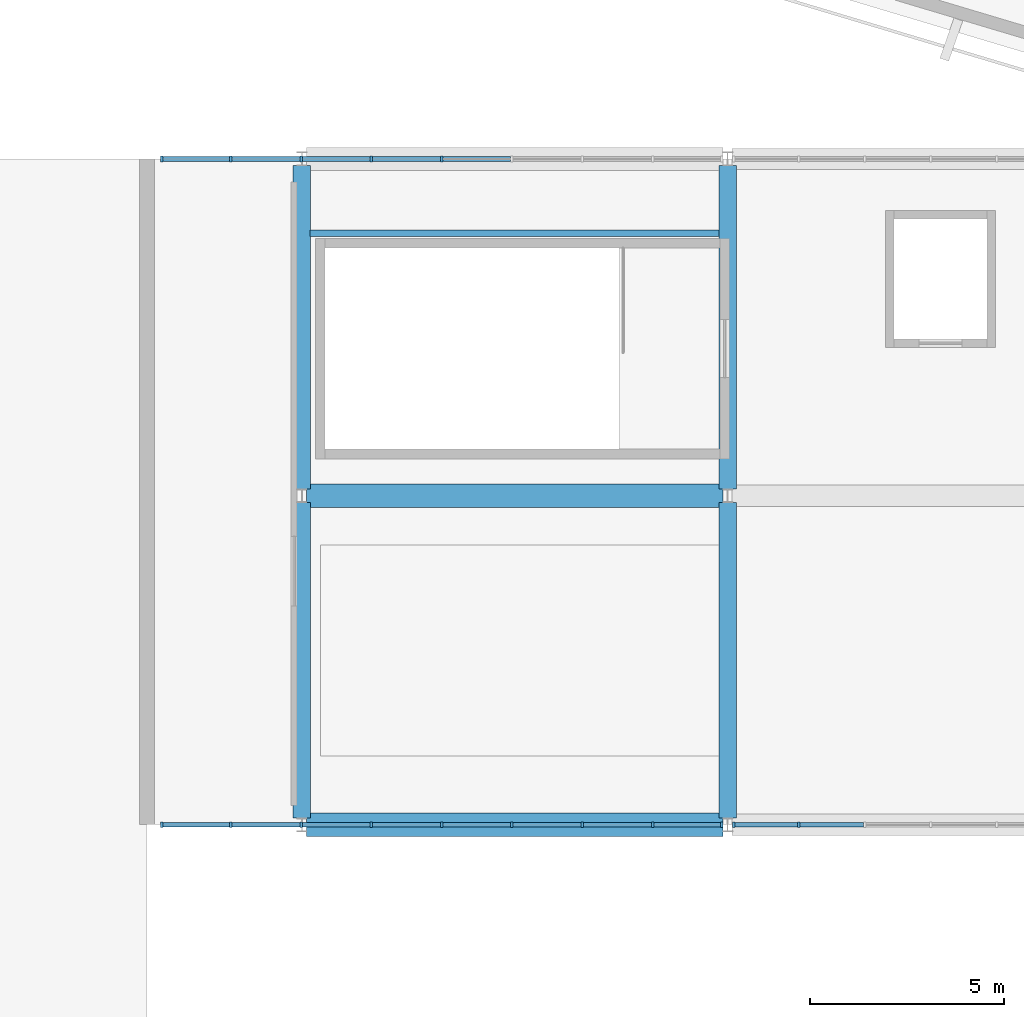
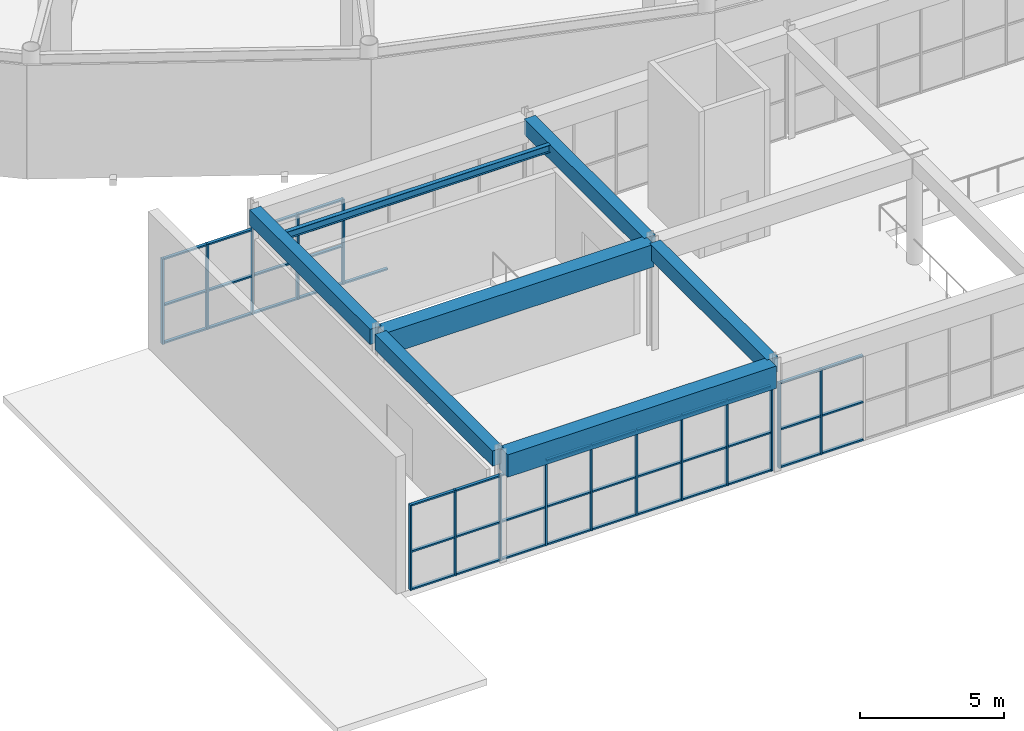
# One storey, part 22 of 122: 59 members, 7 beams, 3 elements without a shape of their own.
"""IFC4 building model written with IfcOpenShell, lengths in metres."""

from ifc_helpers import new_model, si_unit, direction, frame, origin, origin_2d, place, context, subcontext, project, spatial, rectangle, i_section, extrude, material, material_profile, profile_set, type_object, element, aggregate, save


model = new_model("IFC4")

# Units and contexts
model_context = context("Model", 3, precision=1e-05, world=origin(), true_north=direction((0.0, 1.0)))
body_context = subcontext(model_context, "Body", "Model", "MODEL_VIEW")
ifc_project = project(units=[si_unit("LENGTHUNIT", "METRE"), si_unit("AREAUNIT", "SQUARE_METRE"), si_unit("VOLUMEUNIT", "CUBIC_METRE"), si_unit("PLANEANGLEUNIT", "RADIAN"), si_unit("MASSUNIT", "GRAM", prefix="KILO")], contexts=[model_context])

# Site, building, storey
site_placement = place(None, origin())
site = spatial("IfcSite", under=ifc_project, at=site_placement, CompositionType="ELEMENT")
building_placement = place(site_placement, origin())
building = spatial("IfcBuilding", under=site, at=building_placement, Name="Cuetzalor Civic Arena", CompositionType="ELEMENT")
storey_placement = place(building_placement, frame((0.0, 0.0, 16.199951171875)))
storey = spatial("IfcBuildingStorey", under=building, at=storey_placement, Name="L03", CompositionType="ELEMENT", Elevation=16.199951171875)

# Beams
ifc_material_1 = material(Name="Concrete C40/50", Category="concrete")
ifc_material_profile_1 = material_profile(ifc_material_1, rectangle(XDim=0.60009765625, YDim=0.949951171875, at=origin_2d()), Name="RC 600x950")
ifc_profile_set_1 = profile_set([ifc_material_profile_1], Name="Concrete C40/50")
beam_type_1 = type_object("IfcBeamType", Name="ConcreteFrameBeam_600x950", PredefinedType="BEAM", material=ifc_profile_set_1)
for number, where, z_axis, x_axis, name in (
    (1, (-31.881591796875, -65.5, 4.10498046875), (1.0, 0.0, 0.0), (0.0, 1.0, 0.0), "Frame Girder V3-L03-X0854"),
    (2, (-31.881591796875, -57.0, 4.10498046875), (1.0, 0.0, 0.0), (0.0, 1.0, 0.0), "Frame Girder V3-L03-X0860"),
):
    element("IfcBeam", number, at=place(storey_placement, frame(where, z_axis=z_axis, x_axis=x_axis)), inside=storey, type_object=beam_type_1, Name=name, PredefinedType="BEAM", context=body_context, shape_type="SweptSolid", body=[
        extrude(rectangle(XDim=0.60009765625, YDim=0.949951171875, at=origin_2d()), origin(), (0.0, 0.0, 1.0), 10.76318359375),
    ])
ifc_material_2 = material(Name="Concrete C40/50", Category="concrete")
ifc_material_profile_2 = material_profile(ifc_material_2, rectangle(XDim=0.449951171875, YDim=0.64990234375, at=origin_2d()), Name="RC 450x650")
ifc_profile_set_2 = profile_set([ifc_material_profile_2], Name="Concrete C40/50")
beam_type_2 = type_object("IfcBeamType", Name="ConcreteTieBeam_450x650", PredefinedType="BEAM", material=ifc_profile_set_2)
beam_1_placement = place(storey_placement, frame((-32.0, -65.32861328125, 4.255126953125), z_axis=(0.0, 1.0, 0.0), x_axis=(-1.0, 0.0, 0.0)))
element("IfcBeam", 3, at=beam_1_placement, inside=storey, type_object=beam_type_2, Name="Frame Girder V3-L03-Y0870", PredefinedType="BEAM", context=body_context, shape_type="SweptSolid", body=[
    extrude(rectangle(XDim=0.449951171875, YDim=0.64990234375, at=origin_2d()), origin(), (0.0, 0.0, 1.0), 8.1572265625),
])
beam_2_placement = place(storey_placement, frame((-32.0, -56.82861328125, 4.255126953125), z_axis=(0.0, 1.0, 0.0), x_axis=(-1.0, 0.0, 0.0)))
element("IfcBeam", 4, at=beam_2_placement, inside=storey, type_object=beam_type_2, Name="Frame Girder V3-L03-Y0871", PredefinedType="BEAM", context=body_context, shape_type="SweptSolid", body=[
    extrude(rectangle(XDim=0.449951171875, YDim=0.64990234375, at=origin_2d()), origin(), (0.0, 0.0, 1.0), 8.357177734375),
])
beam_3_placement = place(storey_placement, frame((-21.0, -65.32861328125, 4.255126953125), z_axis=(0.0, 1.0, 0.0), x_axis=(-1.0, 0.0, 0.0)))
element("IfcBeam", 5, at=beam_3_placement, inside=storey, type_object=beam_type_2, Name="Frame Girder V3-L03-Y0872", PredefinedType="BEAM", context=body_context, shape_type="SweptSolid", body=[
    extrude(rectangle(XDim=0.449951171875, YDim=0.64990234375, at=origin_2d()), origin(), (0.0, 0.0, 1.0), 8.1572265625),
])
beam_4_placement = place(storey_placement, frame((-21.0, -56.82861328125, 4.255126953125), z_axis=(0.0, 1.0, 0.0), x_axis=(-1.0, 0.0, 0.0)))
element("IfcBeam", 6, at=beam_4_placement, inside=storey, type_object=beam_type_2, Name="Frame Girder V3-L03-Y0873", PredefinedType="BEAM", context=body_context, shape_type="SweptSolid", body=[
    extrude(rectangle(XDim=0.449951171875, YDim=0.64990234375, at=origin_2d()), origin(), (0.0, 0.0, 1.0), 8.357177734375),
])

# Curtain wall, members
ifc_material_3 = material(Name="Anodised dark bronze aluminium and low-E solar glass", Category="aluminium")
curtain_wall_type_1 = type_object("IfcCurtainWallType", Name="StickCW_14550x3600", PredefinedType="USERDEFINED", material=ifc_material_3)
curtain_wall_1_placement = place(storey_placement, origin())
curtain_wall_1 = element("IfcCurtainWall", 7, at=curtain_wall_1_placement, inside=storey, type_object=curtain_wall_type_1, Name="Foyer Vault Clerestory Curtain Wall L03-091", ObjectType="STICK CURTAIN WALL", PredefinedType="USERDEFINED")
ifc_material_4 = material(Name="Anodised dark bronze aluminium", Category="aluminium")
ifc_material_profile_3 = material_profile(ifc_material_4, rectangle(XDim=0.06494140625, YDim=0.14990234375, at=origin_2d()), Name="ALU MULLION 65x150")
ifc_profile_set_3 = profile_set([ifc_material_profile_3], Name="Anodised dark bronze aluminium")
member_type_1 = type_object("IfcMemberType", Name="CurtainWallMullion_60x150", PredefinedType="MULLION", material=ifc_profile_set_3)
member_1_placement = place(storey_placement, frame((-21.156982421875, -65.5, 0.0), z_axis=(0.0, 0.0, 1.0), x_axis=(-1.0, 0.0, 0.0)))
member_1 = element("IfcMember", 8, at=member_1_placement, type_object=member_type_1, Name="CW-28 mullion 1", PredefinedType="MULLION", context=body_context, shape_type="SweptSolid", body=[
    extrude(rectangle(XDim=0.06494140625, YDim=0.14990234375, at=origin_2d()), origin(), (0.0, 0.0, 1.0), 3.6201171875),
])
member_2_placement = place(storey_placement, frame((-22.940185546875, -65.5, 0.0), z_axis=(0.0, 0.0, 1.0), x_axis=(-1.0, 0.0, 0.0)))
member_2 = element("IfcMember", 9, at=member_2_placement, type_object=member_type_1, Name="CW-28 mullion 2", PredefinedType="MULLION", context=body_context, shape_type="SweptSolid", body=[
    extrude(rectangle(XDim=0.06494140625, YDim=0.14990234375, at=origin_2d()), origin(), (0.0, 0.0, 1.0), 3.6201171875),
])
member_3_placement = place(storey_placement, frame((-24.755859375, -65.5, 0.0), z_axis=(0.0, 0.0, 1.0), x_axis=(-1.0, 0.0, 0.0)))
member_3 = element("IfcMember", 10, at=member_3_placement, type_object=member_type_1, Name="CW-28 mullion 3", PredefinedType="MULLION", context=body_context, shape_type="SweptSolid", body=[
    extrude(rectangle(XDim=0.06494140625, YDim=0.14990234375, at=origin_2d()), origin(), (0.0, 0.0, 1.0), 3.6201171875),
])
member_4_placement = place(storey_placement, frame((-26.571533203125, -65.5, 0.0), z_axis=(0.0, 0.0, 1.0), x_axis=(-1.0, 0.0, 0.0)))
member_4 = element("IfcMember", 11, at=member_4_placement, type_object=member_type_1, Name="CW-28 mullion 4", PredefinedType="MULLION", context=body_context, shape_type="SweptSolid", body=[
    extrude(rectangle(XDim=0.06494140625, YDim=0.14990234375, at=origin_2d()), origin(), (0.0, 0.0, 1.0), 3.6201171875),
])
member_5_placement = place(storey_placement, frame((-28.38720703125, -65.5, 0.0), z_axis=(0.0, 0.0, 1.0), x_axis=(-1.0, 0.0, 0.0)))
member_5 = element("IfcMember", 12, at=member_5_placement, type_object=member_type_1, Name="CW-28 mullion 5", PredefinedType="MULLION", context=body_context, shape_type="SweptSolid", body=[
    extrude(rectangle(XDim=0.06494140625, YDim=0.14990234375, at=origin_2d()), origin(), (0.0, 0.0, 1.0), 3.6201171875),
])
member_6_placement = place(storey_placement, frame((-30.202880859375, -65.5, 0.0), z_axis=(0.0, 0.0, 1.0), x_axis=(-1.0, 0.0, 0.0)))
member_6 = element("IfcMember", 13, at=member_6_placement, type_object=member_type_1, Name="CW-28 mullion 6", PredefinedType="MULLION", context=body_context, shape_type="SweptSolid", body=[
    extrude(rectangle(XDim=0.06494140625, YDim=0.14990234375, at=origin_2d()), origin(), (0.0, 0.0, 1.0), 3.6201171875),
])
member_7_placement = place(storey_placement, frame((-32.0185546875, -65.5, 0.0), z_axis=(0.0, 0.0, 1.0), x_axis=(-1.0, 0.0, 0.0)))
member_7 = element("IfcMember", 14, at=member_7_placement, type_object=member_type_1, Name="CW-28 mullion 7", PredefinedType="MULLION", context=body_context, shape_type="SweptSolid", body=[
    extrude(rectangle(XDim=0.06494140625, YDim=0.14990234375, at=origin_2d()), origin(), (0.0, 0.0, 1.0), 3.6201171875),
])
member_8_placement = place(storey_placement, frame((-33.834228515625, -65.5, 0.0), z_axis=(0.0, 0.0, 1.0), x_axis=(-1.0, 0.0, 0.0)))
member_8 = element("IfcMember", 15, at=member_8_placement, type_object=member_type_1, Name="CW-28 mullion 8", PredefinedType="MULLION", context=body_context, shape_type="SweptSolid", body=[
    extrude(rectangle(XDim=0.06494140625, YDim=0.14990234375, at=origin_2d()), origin(), (0.0, 0.0, 1.0), 3.6201171875),
])
member_9_placement = place(storey_placement, frame((-35.617431640625, -65.5, 0.0), z_axis=(0.0, 0.0, 1.0), x_axis=(-1.0, 0.0, 0.0)))
member_9 = element("IfcMember", 16, at=member_9_placement, type_object=member_type_1, Name="CW-28 mullion 9", PredefinedType="MULLION", context=body_context, shape_type="SweptSolid", body=[
    extrude(rectangle(XDim=0.06494140625, YDim=0.14990234375, at=origin_2d()), origin(), (0.0, 0.0, 1.0), 3.6201171875),
])

curtain_wall_2_placement = place(storey_placement, origin())
curtain_wall_2 = element("IfcCurtainWall", 17, at=curtain_wall_2_placement, inside=storey, type_object=curtain_wall_type_1, Name="Foyer North Clerestory Curtain Wall L03-092", ObjectType="STICK CURTAIN WALL", PredefinedType="USERDEFINED")
member_10_placement = place(storey_placement, frame((-35.617431640625, -48.300048828125, 0.0), z_axis=(0.0, 0.0, 1.0), x_axis=(1.0, 0.0, 0.0)))
member_10 = element("IfcMember", 18, at=member_10_placement, type_object=member_type_1, Name="CW-28 mullion 1", PredefinedType="MULLION", context=body_context, shape_type="SweptSolid", body=[
    extrude(rectangle(XDim=0.06494140625, YDim=0.14990234375, at=origin_2d()), origin(), (0.0, 0.0, 1.0), 3.6201171875),
])
member_11_placement = place(storey_placement, frame((-33.834228515625, -48.300048828125, 0.0), z_axis=(0.0, 0.0, 1.0), x_axis=(1.0, 0.0, 0.0)))
member_11 = element("IfcMember", 19, at=member_11_placement, type_object=member_type_1, Name="CW-28 mullion 2", PredefinedType="MULLION", context=body_context, shape_type="SweptSolid", body=[
    extrude(rectangle(XDim=0.06494140625, YDim=0.14990234375, at=origin_2d()), origin(), (0.0, 0.0, 1.0), 3.6201171875),
])
member_12_placement = place(storey_placement, frame((-32.0185546875, -48.300048828125, 0.0), z_axis=(0.0, 0.0, 1.0), x_axis=(1.0, 0.0, 0.0)))
member_12 = element("IfcMember", 20, at=member_12_placement, type_object=member_type_1, Name="CW-28 mullion 3", PredefinedType="MULLION", context=body_context, shape_type="SweptSolid", body=[
    extrude(rectangle(XDim=0.06494140625, YDim=0.14990234375, at=origin_2d()), origin(), (0.0, 0.0, 1.0), 3.6201171875),
])
member_13_placement = place(storey_placement, frame((-30.202880859375, -48.300048828125, 0.0), z_axis=(0.0, 0.0, 1.0), x_axis=(1.0, 0.0, 0.0)))
member_13 = element("IfcMember", 21, at=member_13_placement, type_object=member_type_1, Name="CW-28 mullion 4", PredefinedType="MULLION", context=body_context, shape_type="SweptSolid", body=[
    extrude(rectangle(XDim=0.06494140625, YDim=0.14990234375, at=origin_2d()), origin(), (0.0, 0.0, 1.0), 3.6201171875),
])
member_14_placement = place(storey_placement, frame((-28.38720703125, -48.300048828125, 0.0), z_axis=(0.0, 0.0, 1.0), x_axis=(1.0, 0.0, 0.0)))
member_14 = element("IfcMember", 22, at=member_14_placement, type_object=member_type_1, Name="CW-28 mullion 5", PredefinedType="MULLION", context=body_context, shape_type="SweptSolid", body=[
    extrude(rectangle(XDim=0.06494140625, YDim=0.14990234375, at=origin_2d()), origin(), (0.0, 0.0, 1.0), 3.6201171875),
])

ifc_material_5 = material(Name="Anodised dark bronze aluminium and low-E solar glass", Category="aluminium")
curtain_wall_type_2 = type_object("IfcCurtainWallType", Name="StickCW_10250x3600", PredefinedType="USERDEFINED", material=ifc_material_5)
curtain_wall_3_placement = place(storey_placement, origin())
curtain_wall_3 = element("IfcCurtainWall", 23, at=curtain_wall_3_placement, inside=storey, type_object=curtain_wall_type_2, Name="Foyer Vault Clerestory Curtain Wall L03-093", ObjectType="STICK CURTAIN WALL", PredefinedType="USERDEFINED")
member_15_placement = place(storey_placement, frame((-19.1669921875, -65.5, 0.0), z_axis=(0.0, 0.0, 1.0), x_axis=(-1.0, 0.0, 0.0)))
member_15 = element("IfcMember", 24, at=member_15_placement, type_object=member_type_1, Name="CW-29 mullion 6", PredefinedType="MULLION", context=body_context, shape_type="SweptSolid", body=[
    extrude(rectangle(XDim=0.06494140625, YDim=0.14990234375, at=origin_2d()), origin(), (0.0, 0.0, 1.0), 3.6201171875),
])
member_16_placement = place(storey_placement, frame((-20.843017578125, -65.5, 0.0), z_axis=(0.0, 0.0, 1.0), x_axis=(-1.0, 0.0, 0.0)))
member_16 = element("IfcMember", 25, at=member_16_placement, type_object=member_type_1, Name="CW-29 mullion 7", PredefinedType="MULLION", context=body_context, shape_type="SweptSolid", body=[
    extrude(rectangle(XDim=0.06494140625, YDim=0.14990234375, at=origin_2d()), origin(), (0.0, 0.0, 1.0), 3.6201171875),
])

# Member
ifc_material_6 = material(Name="Anodised dark bronze aluminium", Category="aluminium")
ifc_material_profile_4 = material_profile(ifc_material_6, rectangle(XDim=0.1201171875, YDim=0.06494140625, at=origin_2d()), Name="ALU TRANSOM 65x120")
ifc_profile_set_4 = profile_set([ifc_material_profile_4], Name="Anodised dark bronze aluminium")
member_type_2 = type_object("IfcMemberType", Name="CurtainWallTransom_60x120", PredefinedType="USERDEFINED", material=ifc_profile_set_4)
member_17_placement = place(storey_placement, frame((-21.189453125, -65.5, 0.032470703125), z_axis=(-1.0, 0.0, 0.0), x_axis=(0.0, -1.0, 0.0)))
member_17 = element("IfcMember", 26, at=member_17_placement, type_object=member_type_2, Name="CW-28 transom 1.1", ObjectType="TRANSOM", PredefinedType="USERDEFINED", context=body_context, shape_type="SweptSolid", body=[
    extrude(rectangle(XDim=0.1201171875, YDim=0.06494140625, at=origin_2d()), origin(), (0.0, 0.0, 1.0), 1.71826171875),
])

member_18_placement = place(storey_placement, frame((-21.189453125, -65.5, 1.629150390625), z_axis=(-1.0, 0.0, 0.0), x_axis=(0.0, -1.0, 0.0)))
member_18 = element("IfcMember", 27, at=member_18_placement, type_object=member_type_2, Name="CW-28 transom 1.2", ObjectType="TRANSOM", PredefinedType="USERDEFINED", context=body_context, shape_type="SweptSolid", body=[
    extrude(rectangle(XDim=0.1201171875, YDim=0.06494140625, at=origin_2d()), origin(), (0.0, 0.0, 1.0), 1.71826171875),
])

member_19_placement = place(storey_placement, frame((-21.189453125, -65.5, 3.587646484375), z_axis=(-1.0, 0.0, 0.0), x_axis=(0.0, -1.0, 0.0)))
member_19 = element("IfcMember", 28, at=member_19_placement, type_object=member_type_2, Name="CW-28 transom 1.3", ObjectType="TRANSOM", PredefinedType="USERDEFINED", context=body_context, shape_type="SweptSolid", body=[
    extrude(rectangle(XDim=0.1201171875, YDim=0.06494140625, at=origin_2d()), origin(), (0.0, 0.0, 1.0), 1.71826171875),
])

member_20_placement = place(storey_placement, frame((-22.97265625, -65.5, 0.032470703125), z_axis=(-1.0, 0.0, 0.0), x_axis=(0.0, -1.0, 0.0)))
member_20 = element("IfcMember", 29, at=member_20_placement, type_object=member_type_2, Name="CW-28 transom 2.1", ObjectType="TRANSOM", PredefinedType="USERDEFINED", context=body_context, shape_type="SweptSolid", body=[
    extrude(rectangle(XDim=0.1201171875, YDim=0.06494140625, at=origin_2d()), origin(), (0.0, 0.0, 1.0), 1.750732421875),
])

member_21_placement = place(storey_placement, frame((-22.97265625, -65.5, 1.629150390625), z_axis=(-1.0, 0.0, 0.0), x_axis=(0.0, -1.0, 0.0)))
member_21 = element("IfcMember", 30, at=member_21_placement, type_object=member_type_2, Name="CW-28 transom 2.2", ObjectType="TRANSOM", PredefinedType="USERDEFINED", context=body_context, shape_type="SweptSolid", body=[
    extrude(rectangle(XDim=0.1201171875, YDim=0.06494140625, at=origin_2d()), origin(), (0.0, 0.0, 1.0), 1.750732421875),
])

member_22_placement = place(storey_placement, frame((-22.97265625, -65.5, 3.587646484375), z_axis=(-1.0, 0.0, 0.0), x_axis=(0.0, -1.0, 0.0)))
member_22 = element("IfcMember", 31, at=member_22_placement, type_object=member_type_2, Name="CW-28 transom 2.3", ObjectType="TRANSOM", PredefinedType="USERDEFINED", context=body_context, shape_type="SweptSolid", body=[
    extrude(rectangle(XDim=0.1201171875, YDim=0.06494140625, at=origin_2d()), origin(), (0.0, 0.0, 1.0), 1.750732421875),
])

member_23_placement = place(storey_placement, frame((-24.788330078125, -65.5, 0.032470703125), z_axis=(-1.0, 0.0, 0.0), x_axis=(0.0, -1.0, 0.0)))
member_23 = element("IfcMember", 32, at=member_23_placement, type_object=member_type_2, Name="CW-28 transom 3.1", ObjectType="TRANSOM", PredefinedType="USERDEFINED", context=body_context, shape_type="SweptSolid", body=[
    extrude(rectangle(XDim=0.1201171875, YDim=0.06494140625, at=origin_2d()), origin(), (0.0, 0.0, 1.0), 1.750732421875),
])

member_24_placement = place(storey_placement, frame((-24.788330078125, -65.5, 1.629150390625), z_axis=(-1.0, 0.0, 0.0), x_axis=(0.0, -1.0, 0.0)))
member_24 = element("IfcMember", 33, at=member_24_placement, type_object=member_type_2, Name="CW-28 transom 3.2", ObjectType="TRANSOM", PredefinedType="USERDEFINED", context=body_context, shape_type="SweptSolid", body=[
    extrude(rectangle(XDim=0.1201171875, YDim=0.06494140625, at=origin_2d()), origin(), (0.0, 0.0, 1.0), 1.750732421875),
])

member_25_placement = place(storey_placement, frame((-24.788330078125, -65.5, 3.587646484375), z_axis=(-1.0, 0.0, 0.0), x_axis=(0.0, -1.0, 0.0)))
member_25 = element("IfcMember", 34, at=member_25_placement, type_object=member_type_2, Name="CW-28 transom 3.3", ObjectType="TRANSOM", PredefinedType="USERDEFINED", context=body_context, shape_type="SweptSolid", body=[
    extrude(rectangle(XDim=0.1201171875, YDim=0.06494140625, at=origin_2d()), origin(), (0.0, 0.0, 1.0), 1.750732421875),
])

member_26_placement = place(storey_placement, frame((-26.60400390625, -65.5, 0.032470703125), z_axis=(-1.0, 0.0, 0.0), x_axis=(0.0, -1.0, 0.0)))
member_26 = element("IfcMember", 35, at=member_26_placement, type_object=member_type_2, Name="CW-28 transom 4.1", ObjectType="TRANSOM", PredefinedType="USERDEFINED", context=body_context, shape_type="SweptSolid", body=[
    extrude(rectangle(XDim=0.1201171875, YDim=0.06494140625, at=origin_2d()), origin(), (0.0, 0.0, 1.0), 1.750732421875),
])

member_27_placement = place(storey_placement, frame((-26.60400390625, -65.5, 1.629150390625), z_axis=(-1.0, 0.0, 0.0), x_axis=(0.0, -1.0, 0.0)))
member_27 = element("IfcMember", 36, at=member_27_placement, type_object=member_type_2, Name="CW-28 transom 4.2", ObjectType="TRANSOM", PredefinedType="USERDEFINED", context=body_context, shape_type="SweptSolid", body=[
    extrude(rectangle(XDim=0.1201171875, YDim=0.06494140625, at=origin_2d()), origin(), (0.0, 0.0, 1.0), 1.750732421875),
])

member_28_placement = place(storey_placement, frame((-26.60400390625, -65.5, 3.587646484375), z_axis=(-1.0, 0.0, 0.0), x_axis=(0.0, -1.0, 0.0)))
member_28 = element("IfcMember", 37, at=member_28_placement, type_object=member_type_2, Name="CW-28 transom 4.3", ObjectType="TRANSOM", PredefinedType="USERDEFINED", context=body_context, shape_type="SweptSolid", body=[
    extrude(rectangle(XDim=0.1201171875, YDim=0.06494140625, at=origin_2d()), origin(), (0.0, 0.0, 1.0), 1.750732421875),
])

member_29_placement = place(storey_placement, frame((-28.419677734375, -65.5, 0.032470703125), z_axis=(-1.0, 0.0, 0.0), x_axis=(0.0, -1.0, 0.0)))
member_29 = element("IfcMember", 38, at=member_29_placement, type_object=member_type_2, Name="CW-28 transom 5.1", ObjectType="TRANSOM", PredefinedType="USERDEFINED", context=body_context, shape_type="SweptSolid", body=[
    extrude(rectangle(XDim=0.1201171875, YDim=0.06494140625, at=origin_2d()), origin(), (0.0, 0.0, 1.0), 1.750732421875),
])

member_30_placement = place(storey_placement, frame((-28.419677734375, -65.5, 1.629150390625), z_axis=(-1.0, 0.0, 0.0), x_axis=(0.0, -1.0, 0.0)))
member_30 = element("IfcMember", 39, at=member_30_placement, type_object=member_type_2, Name="CW-28 transom 5.2", ObjectType="TRANSOM", PredefinedType="USERDEFINED", context=body_context, shape_type="SweptSolid", body=[
    extrude(rectangle(XDim=0.1201171875, YDim=0.06494140625, at=origin_2d()), origin(), (0.0, 0.0, 1.0), 1.750732421875),
])

member_31_placement = place(storey_placement, frame((-28.419677734375, -65.5, 3.587646484375), z_axis=(-1.0, 0.0, 0.0), x_axis=(0.0, -1.0, 0.0)))
member_31 = element("IfcMember", 40, at=member_31_placement, type_object=member_type_2, Name="CW-28 transom 5.3", ObjectType="TRANSOM", PredefinedType="USERDEFINED", context=body_context, shape_type="SweptSolid", body=[
    extrude(rectangle(XDim=0.1201171875, YDim=0.06494140625, at=origin_2d()), origin(), (0.0, 0.0, 1.0), 1.750732421875),
])

member_32_placement = place(storey_placement, frame((-30.2353515625, -65.5, 0.032470703125), z_axis=(-1.0, 0.0, 0.0), x_axis=(0.0, -1.0, 0.0)))
member_32 = element("IfcMember", 41, at=member_32_placement, type_object=member_type_2, Name="CW-28 transom 6.1", ObjectType="TRANSOM", PredefinedType="USERDEFINED", context=body_context, shape_type="SweptSolid", body=[
    extrude(rectangle(XDim=0.1201171875, YDim=0.06494140625, at=origin_2d()), origin(), (0.0, 0.0, 1.0), 1.750732421875),
])

member_33_placement = place(storey_placement, frame((-30.2353515625, -65.5, 1.629150390625), z_axis=(-1.0, 0.0, 0.0), x_axis=(0.0, -1.0, 0.0)))
member_33 = element("IfcMember", 42, at=member_33_placement, type_object=member_type_2, Name="CW-28 transom 6.2", ObjectType="TRANSOM", PredefinedType="USERDEFINED", context=body_context, shape_type="SweptSolid", body=[
    extrude(rectangle(XDim=0.1201171875, YDim=0.06494140625, at=origin_2d()), origin(), (0.0, 0.0, 1.0), 1.750732421875),
])

member_34_placement = place(storey_placement, frame((-30.2353515625, -65.5, 3.587646484375), z_axis=(-1.0, 0.0, 0.0), x_axis=(0.0, -1.0, 0.0)))
member_34 = element("IfcMember", 43, at=member_34_placement, type_object=member_type_2, Name="CW-28 transom 6.3", ObjectType="TRANSOM", PredefinedType="USERDEFINED", context=body_context, shape_type="SweptSolid", body=[
    extrude(rectangle(XDim=0.1201171875, YDim=0.06494140625, at=origin_2d()), origin(), (0.0, 0.0, 1.0), 1.750732421875),
])

member_35_placement = place(storey_placement, frame((-32.051025390625, -65.5, 0.032470703125), z_axis=(-1.0, 0.0, 0.0), x_axis=(0.0, -1.0, 0.0)))
member_35 = element("IfcMember", 44, at=member_35_placement, type_object=member_type_2, Name="CW-28 transom 7.1", ObjectType="TRANSOM", PredefinedType="USERDEFINED", context=body_context, shape_type="SweptSolid", body=[
    extrude(rectangle(XDim=0.1201171875, YDim=0.06494140625, at=origin_2d()), origin(), (0.0, 0.0, 1.0), 1.750732421875),
])

member_36_placement = place(storey_placement, frame((-32.051025390625, -65.5, 1.629150390625), z_axis=(-1.0, 0.0, 0.0), x_axis=(0.0, -1.0, 0.0)))
member_36 = element("IfcMember", 45, at=member_36_placement, type_object=member_type_2, Name="CW-28 transom 7.2", ObjectType="TRANSOM", PredefinedType="USERDEFINED", context=body_context, shape_type="SweptSolid", body=[
    extrude(rectangle(XDim=0.1201171875, YDim=0.06494140625, at=origin_2d()), origin(), (0.0, 0.0, 1.0), 1.750732421875),
])

member_37_placement = place(storey_placement, frame((-32.051025390625, -65.5, 3.587646484375), z_axis=(-1.0, 0.0, 0.0), x_axis=(0.0, -1.0, 0.0)))
member_37 = element("IfcMember", 46, at=member_37_placement, type_object=member_type_2, Name="CW-28 transom 7.3", ObjectType="TRANSOM", PredefinedType="USERDEFINED", context=body_context, shape_type="SweptSolid", body=[
    extrude(rectangle(XDim=0.1201171875, YDim=0.06494140625, at=origin_2d()), origin(), (0.0, 0.0, 1.0), 1.750732421875),
])

member_38_placement = place(storey_placement, frame((-33.86669921875, -65.5, 0.032470703125), z_axis=(-1.0, 0.0, 0.0), x_axis=(0.0, -1.0, 0.0)))
member_38 = element("IfcMember", 47, at=member_38_placement, type_object=member_type_2, Name="CW-28 transom 8.1", ObjectType="TRANSOM", PredefinedType="USERDEFINED", context=body_context, shape_type="SweptSolid", body=[
    extrude(rectangle(XDim=0.1201171875, YDim=0.06494140625, at=origin_2d()), origin(), (0.0, 0.0, 1.0), 1.71826171875),
])

member_39_placement = place(storey_placement, frame((-33.86669921875, -65.5, 1.629150390625), z_axis=(-1.0, 0.0, 0.0), x_axis=(0.0, -1.0, 0.0)))
member_39 = element("IfcMember", 48, at=member_39_placement, type_object=member_type_2, Name="CW-28 transom 8.2", ObjectType="TRANSOM", PredefinedType="USERDEFINED", context=body_context, shape_type="SweptSolid", body=[
    extrude(rectangle(XDim=0.1201171875, YDim=0.06494140625, at=origin_2d()), origin(), (0.0, 0.0, 1.0), 1.71826171875),
])

member_40_placement = place(storey_placement, frame((-33.86669921875, -65.5, 3.587646484375), z_axis=(-1.0, 0.0, 0.0), x_axis=(0.0, -1.0, 0.0)))
member_40 = element("IfcMember", 49, at=member_40_placement, type_object=member_type_2, Name="CW-28 transom 8.3", ObjectType="TRANSOM", PredefinedType="USERDEFINED", context=body_context, shape_type="SweptSolid", body=[
    extrude(rectangle(XDim=0.1201171875, YDim=0.06494140625, at=origin_2d()), origin(), (0.0, 0.0, 1.0), 1.71826171875),
])

aggregate(curtain_wall_1, [member_1, member_2, member_3, member_4, member_5, member_6, member_7, member_8, member_9, member_17, member_18, member_19, member_20, member_21, member_22, member_23, member_24, member_25, member_26, member_27, member_28, member_29, member_30, member_31, member_32, member_33, member_34, member_35, member_36, member_37, member_38, member_39, member_40])

member_41_placement = place(storey_placement, frame((-35.5849609375, -48.300048828125, 0.032470703125), z_axis=(1.0, 0.0, 0.0), x_axis=(0.0, 1.0, 0.0)))
member_41 = element("IfcMember", 50, at=member_41_placement, type_object=member_type_2, Name="CW-28 transom 1.1", ObjectType="TRANSOM", PredefinedType="USERDEFINED", context=body_context, shape_type="SweptSolid", body=[
    extrude(rectangle(XDim=0.1201171875, YDim=0.06494140625, at=origin_2d()), origin(), (0.0, 0.0, 1.0), 1.71826171875),
])

member_42_placement = place(storey_placement, frame((-35.5849609375, -48.300048828125, 1.629150390625), z_axis=(1.0, 0.0, 0.0), x_axis=(0.0, 1.0, 0.0)))
member_42 = element("IfcMember", 51, at=member_42_placement, type_object=member_type_2, Name="CW-28 transom 1.2", ObjectType="TRANSOM", PredefinedType="USERDEFINED", context=body_context, shape_type="SweptSolid", body=[
    extrude(rectangle(XDim=0.1201171875, YDim=0.06494140625, at=origin_2d()), origin(), (0.0, 0.0, 1.0), 1.71826171875),
])

member_43_placement = place(storey_placement, frame((-35.5849609375, -48.300048828125, 3.587646484375), z_axis=(1.0, 0.0, 0.0), x_axis=(0.0, 1.0, 0.0)))
member_43 = element("IfcMember", 52, at=member_43_placement, type_object=member_type_2, Name="CW-28 transom 1.3", ObjectType="TRANSOM", PredefinedType="USERDEFINED", context=body_context, shape_type="SweptSolid", body=[
    extrude(rectangle(XDim=0.1201171875, YDim=0.06494140625, at=origin_2d()), origin(), (0.0, 0.0, 1.0), 1.71826171875),
])

member_44_placement = place(storey_placement, frame((-33.8017578125, -48.300048828125, 0.032470703125), z_axis=(1.0, 0.0, 0.0), x_axis=(0.0, 1.0, 0.0)))
member_44 = element("IfcMember", 53, at=member_44_placement, type_object=member_type_2, Name="CW-28 transom 2.1", ObjectType="TRANSOM", PredefinedType="USERDEFINED", context=body_context, shape_type="SweptSolid", body=[
    extrude(rectangle(XDim=0.1201171875, YDim=0.06494140625, at=origin_2d()), origin(), (0.0, 0.0, 1.0), 1.750732421875),
])

member_45_placement = place(storey_placement, frame((-33.8017578125, -48.300048828125, 1.629150390625), z_axis=(1.0, 0.0, 0.0), x_axis=(0.0, 1.0, 0.0)))
member_45 = element("IfcMember", 54, at=member_45_placement, type_object=member_type_2, Name="CW-28 transom 2.2", ObjectType="TRANSOM", PredefinedType="USERDEFINED", context=body_context, shape_type="SweptSolid", body=[
    extrude(rectangle(XDim=0.1201171875, YDim=0.06494140625, at=origin_2d()), origin(), (0.0, 0.0, 1.0), 1.750732421875),
])

member_46_placement = place(storey_placement, frame((-33.8017578125, -48.300048828125, 3.587646484375), z_axis=(1.0, 0.0, 0.0), x_axis=(0.0, 1.0, 0.0)))
member_46 = element("IfcMember", 55, at=member_46_placement, type_object=member_type_2, Name="CW-28 transom 2.3", ObjectType="TRANSOM", PredefinedType="USERDEFINED", context=body_context, shape_type="SweptSolid", body=[
    extrude(rectangle(XDim=0.1201171875, YDim=0.06494140625, at=origin_2d()), origin(), (0.0, 0.0, 1.0), 1.750732421875),
])

member_47_placement = place(storey_placement, frame((-31.986083984375, -48.300048828125, 0.032470703125), z_axis=(1.0, 0.0, 0.0), x_axis=(0.0, 1.0, 0.0)))
member_47 = element("IfcMember", 56, at=member_47_placement, type_object=member_type_2, Name="CW-28 transom 3.1", ObjectType="TRANSOM", PredefinedType="USERDEFINED", context=body_context, shape_type="SweptSolid", body=[
    extrude(rectangle(XDim=0.1201171875, YDim=0.06494140625, at=origin_2d()), origin(), (0.0, 0.0, 1.0), 1.750732421875),
])

member_48_placement = place(storey_placement, frame((-31.986083984375, -48.300048828125, 1.629150390625), z_axis=(1.0, 0.0, 0.0), x_axis=(0.0, 1.0, 0.0)))
member_48 = element("IfcMember", 57, at=member_48_placement, type_object=member_type_2, Name="CW-28 transom 3.2", ObjectType="TRANSOM", PredefinedType="USERDEFINED", context=body_context, shape_type="SweptSolid", body=[
    extrude(rectangle(XDim=0.1201171875, YDim=0.06494140625, at=origin_2d()), origin(), (0.0, 0.0, 1.0), 1.750732421875),
])

member_49_placement = place(storey_placement, frame((-31.986083984375, -48.300048828125, 3.587646484375), z_axis=(1.0, 0.0, 0.0), x_axis=(0.0, 1.0, 0.0)))
member_49 = element("IfcMember", 58, at=member_49_placement, type_object=member_type_2, Name="CW-28 transom 3.3", ObjectType="TRANSOM", PredefinedType="USERDEFINED", context=body_context, shape_type="SweptSolid", body=[
    extrude(rectangle(XDim=0.1201171875, YDim=0.06494140625, at=origin_2d()), origin(), (0.0, 0.0, 1.0), 1.750732421875),
])

member_50_placement = place(storey_placement, frame((-30.17041015625, -48.300048828125, 0.032470703125), z_axis=(1.0, 0.0, 0.0), x_axis=(0.0, 1.0, 0.0)))
member_50 = element("IfcMember", 59, at=member_50_placement, type_object=member_type_2, Name="CW-28 transom 4.1", ObjectType="TRANSOM", PredefinedType="USERDEFINED", context=body_context, shape_type="SweptSolid", body=[
    extrude(rectangle(XDim=0.1201171875, YDim=0.06494140625, at=origin_2d()), origin(), (0.0, 0.0, 1.0), 1.750732421875),
])

member_51_placement = place(storey_placement, frame((-30.17041015625, -48.300048828125, 1.629150390625), z_axis=(1.0, 0.0, 0.0), x_axis=(0.0, 1.0, 0.0)))
member_51 = element("IfcMember", 60, at=member_51_placement, type_object=member_type_2, Name="CW-28 transom 4.2", ObjectType="TRANSOM", PredefinedType="USERDEFINED", context=body_context, shape_type="SweptSolid", body=[
    extrude(rectangle(XDim=0.1201171875, YDim=0.06494140625, at=origin_2d()), origin(), (0.0, 0.0, 1.0), 1.750732421875),
])

member_52_placement = place(storey_placement, frame((-30.17041015625, -48.300048828125, 3.587646484375), z_axis=(1.0, 0.0, 0.0), x_axis=(0.0, 1.0, 0.0)))
member_52 = element("IfcMember", 61, at=member_52_placement, type_object=member_type_2, Name="CW-28 transom 4.3", ObjectType="TRANSOM", PredefinedType="USERDEFINED", context=body_context, shape_type="SweptSolid", body=[
    extrude(rectangle(XDim=0.1201171875, YDim=0.06494140625, at=origin_2d()), origin(), (0.0, 0.0, 1.0), 1.750732421875),
])

member_53_placement = place(storey_placement, frame((-28.354736328125, -48.300048828125, 0.032470703125), z_axis=(1.0, 0.0, 0.0), x_axis=(0.0, 1.0, 0.0)))
member_53 = element("IfcMember", 62, at=member_53_placement, type_object=member_type_2, Name="CW-28 transom 5.1", ObjectType="TRANSOM", PredefinedType="USERDEFINED", context=body_context, shape_type="SweptSolid", body=[
    extrude(rectangle(XDim=0.1201171875, YDim=0.06494140625, at=origin_2d()), origin(), (0.0, 0.0, 1.0), 1.750732421875),
])

aggregate(curtain_wall_2, [member_10, member_11, member_12, member_13, member_14, member_41, member_42, member_43, member_44, member_45, member_46, member_47, member_48, member_49, member_50, member_51, member_52, member_53])

member_54_placement = place(storey_placement, frame((-17.490966796875, -65.5, 0.032470703125), z_axis=(-1.0, 0.0, 0.0), x_axis=(0.0, -1.0, 0.0)))
member_54 = element("IfcMember", 63, at=member_54_placement, type_object=member_type_2, Name="CW-29 transom 5.1", ObjectType="TRANSOM", PredefinedType="USERDEFINED", context=body_context, shape_type="SweptSolid", body=[
    extrude(rectangle(XDim=0.1201171875, YDim=0.06494140625, at=origin_2d()), origin(), (0.0, 0.0, 1.0), 1.6435546875),
])

member_55_placement = place(storey_placement, frame((-17.490966796875, -65.5, 1.629150390625), z_axis=(-1.0, 0.0, 0.0), x_axis=(0.0, -1.0, 0.0)))
member_55 = element("IfcMember", 64, at=member_55_placement, type_object=member_type_2, Name="CW-29 transom 5.2", ObjectType="TRANSOM", PredefinedType="USERDEFINED", context=body_context, shape_type="SweptSolid", body=[
    extrude(rectangle(XDim=0.1201171875, YDim=0.06494140625, at=origin_2d()), origin(), (0.0, 0.0, 1.0), 1.6435546875),
])

member_56_placement = place(storey_placement, frame((-17.490966796875, -65.5, 3.587646484375), z_axis=(-1.0, 0.0, 0.0), x_axis=(0.0, -1.0, 0.0)))
member_56 = element("IfcMember", 65, at=member_56_placement, type_object=member_type_2, Name="CW-29 transom 5.3", ObjectType="TRANSOM", PredefinedType="USERDEFINED", context=body_context, shape_type="SweptSolid", body=[
    extrude(rectangle(XDim=0.1201171875, YDim=0.06494140625, at=origin_2d()), origin(), (0.0, 0.0, 1.0), 1.6435546875),
])

member_57_placement = place(storey_placement, frame((-19.199462890625, -65.5, 0.032470703125), z_axis=(-1.0, 0.0, 0.0), x_axis=(0.0, -1.0, 0.0)))
member_57 = element("IfcMember", 66, at=member_57_placement, type_object=member_type_2, Name="CW-29 transom 6.1", ObjectType="TRANSOM", PredefinedType="USERDEFINED", context=body_context, shape_type="SweptSolid", body=[
    extrude(rectangle(XDim=0.1201171875, YDim=0.06494140625, at=origin_2d()), origin(), (0.0, 0.0, 1.0), 1.611083984375),
])

member_58_placement = place(storey_placement, frame((-19.199462890625, -65.5, 1.629150390625), z_axis=(-1.0, 0.0, 0.0), x_axis=(0.0, -1.0, 0.0)))
member_58 = element("IfcMember", 67, at=member_58_placement, type_object=member_type_2, Name="CW-29 transom 6.2", ObjectType="TRANSOM", PredefinedType="USERDEFINED", context=body_context, shape_type="SweptSolid", body=[
    extrude(rectangle(XDim=0.1201171875, YDim=0.06494140625, at=origin_2d()), origin(), (0.0, 0.0, 1.0), 1.611083984375),
])

member_59_placement = place(storey_placement, frame((-19.199462890625, -65.5, 3.587646484375), z_axis=(-1.0, 0.0, 0.0), x_axis=(0.0, -1.0, 0.0)))
member_59 = element("IfcMember", 68, at=member_59_placement, type_object=member_type_2, Name="CW-29 transom 6.3", ObjectType="TRANSOM", PredefinedType="USERDEFINED", context=body_context, shape_type="SweptSolid", body=[
    extrude(rectangle(XDim=0.1201171875, YDim=0.06494140625, at=origin_2d()), origin(), (0.0, 0.0, 1.0), 1.611083984375),
])

aggregate(curtain_wall_3, [member_15, member_16, member_54, member_55, member_56, member_57, member_58, member_59])

# Beam
ifc_material_7 = material(Name="Steel S355", Category="steel")
ifc_material_profile_5 = material_profile(ifc_material_7, i_section(OverallWidth=0.166015625, OverallDepth=0.31298828125, WebThickness=0.006591796875, FlangeThickness=0.01123046875, at=origin_2d()), Name="W310x45")
ifc_profile_set_5 = profile_set([ifc_material_profile_5], Name="Steel S355")
beam_type_3 = type_object("IfcBeamType", Name="SecondaryRoofJoist_W310", PredefinedType="JOIST", material=ifc_profile_set_5)
beam_5_placement = place(storey_placement, frame((-31.782958984375, -50.214111328125, 4.423583984375), z_axis=(1.0, 0.0, 0.0), x_axis=(0.0, 1.0, 0.0)))
element("IfcBeam", 69, at=beam_5_placement, inside=storey, type_object=beam_type_3, Name="Secondary Floor Joist V3-L03-0265", PredefinedType="JOIST", context=body_context, shape_type="SweptSolid", body=[
    extrude(i_section(OverallWidth=0.166015625, OverallDepth=0.31298828125, WebThickness=0.006591796875, FlangeThickness=0.01123046875, at=origin_2d()), origin(), (0.0, 0.0, 1.0), 10.56591796875),
])

save(model, "model.ifc")
